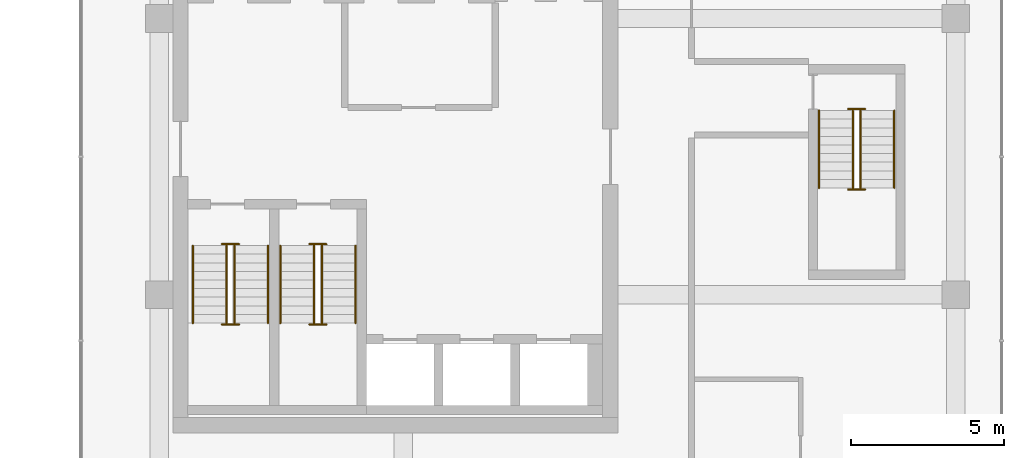
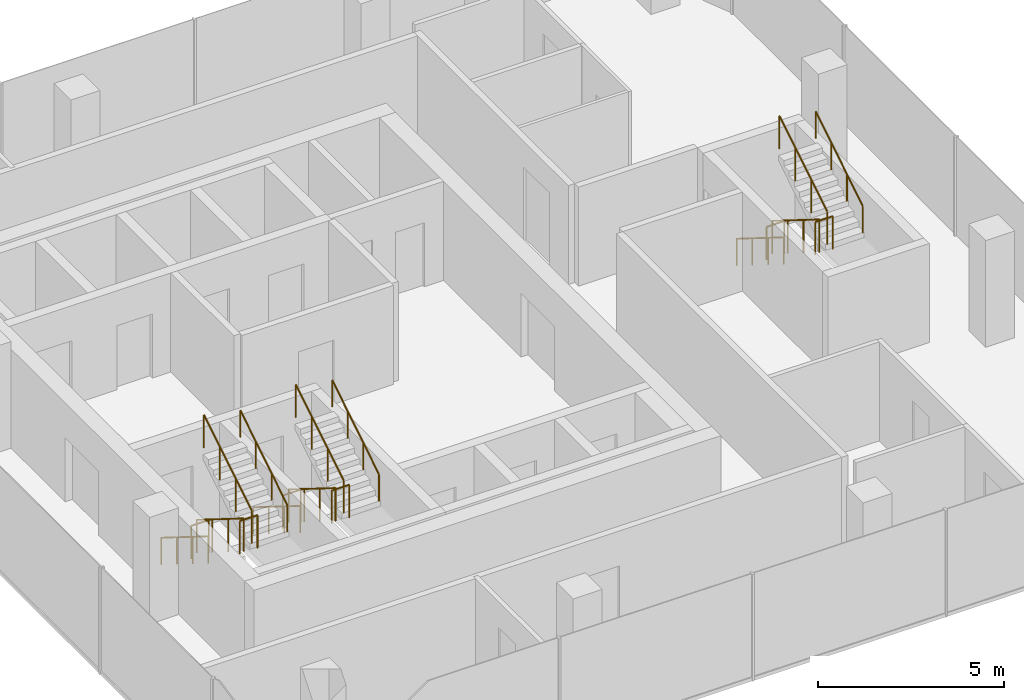
# One storey, part 24 of 24: 18 railings.
"""IFC4 building model written with IfcOpenShell, lengths in metres."""

from ifc_helpers import new_model, si_unit, direction, frame, origin, origin_2d, place, context, subcontext, project, spatial, circle, extrude, material, type_object, element, save


model = new_model("IFC4")

# Units and contexts
model_context = context("Model", 3, precision=1e-05, world=origin(), true_north=direction((0.0, 1.0)))
body_context = subcontext(model_context, "Body", "Model", "MODEL_VIEW")
ifc_project = project(units=[si_unit("LENGTHUNIT", "METRE"), si_unit("AREAUNIT", "SQUARE_METRE"), si_unit("VOLUMEUNIT", "CUBIC_METRE"), si_unit("PLANEANGLEUNIT", "RADIAN"), si_unit("MASSUNIT", "GRAM", prefix="KILO")], contexts=[model_context])

# Site, building, storey
site_placement = place(None, origin())
site = spatial("IfcSite", under=ifc_project, at=site_placement, CompositionType="ELEMENT")
building_placement = place(site_placement, origin())
building = spatial("IfcBuilding", under=site, at=building_placement, Name="Plateau Cross Towers", CompositionType="ELEMENT")
storey_placement = place(building_placement, frame((0.0, 0.0, 44.300048828125)))
storey = spatial("IfcBuildingStorey", under=building, at=storey_placement, Name="L10", CompositionType="ELEMENT", Elevation=44.300048828125)

# Railings
ifc_material_1 = material(Name="Stainless steel and toughened glass", Category="steel")
railing_type_1 = type_object("IfcRailingType", Name="RL-GUARD-1100", PredefinedType="GUARDRAIL", material=ifc_material_1)
railing_1_placement = place(storey_placement, frame((76.75, 6.10009765625, 0.175048828125)))
element("IfcRailing", 1, at=railing_1_placement, inside=storey, type_object=railing_type_1, Name="L10 SB-1 stair guard 1", PredefinedType="GUARDRAIL", context=body_context, shape_type="SweptSolid", body=[
    extrude(circle(Radius=0.02392578125, at=origin_2d()), frame((0.0, 0.0, 1.076171875), z_axis=(0.0, -0.848007534815, 0.529984170421), x_axis=(1.0, 0.0, 0.0)), (0.0, 0.0, 1.0), 2.9716796875),
    extrude(circle(Radius=0.02099609375, at=origin_2d()), origin(), (0.0, 0.0, 1.0), 1.052001953125),
    extrude(circle(Radius=0.02099609375, at=origin_2d()), frame((0.0, -0.840087890625, 0.52490234375)), (0.0, 0.0, 1.0), 1.052001953125),
    extrude(circle(Radius=0.02099609375, at=origin_2d()), frame((0.0, -1.679931640625, 1.050048828125)), (0.0, 0.0, 1.0), 1.052001953125),
    extrude(circle(Radius=0.02099609375, at=origin_2d()), frame((0.0, -2.52001953125, 1.574951171875)), (0.0, 0.0, 1.0), 1.052001953125),
])
railing_2_placement = place(storey_placement, frame((76.60009765625, 3.530029296875, 1.75)))
element("IfcRailing", 2, at=railing_2_placement, inside=storey, type_object=railing_type_1, Name="L10 SB-1 stair guard 2", PredefinedType="GUARDRAIL", context=body_context, shape_type="SweptSolid", body=[
    extrude(circle(Radius=0.02392578125, at=origin_2d()), frame((0.0, 0.0, 1.076171875), z_axis=(1.0, 0.0, 0.0), x_axis=(0.0, 1.0, 0.0)), (0.0, 0.0, 1.0), 0.5498046875),
    extrude(circle(Radius=0.02099609375, at=origin_2d()), origin(), (0.0, 0.0, 1.0), 1.052001953125),
    extrude(circle(Radius=0.02099609375, at=origin_2d()), frame((0.5498046875, 0.0, 0.0)), (0.0, 0.0, 1.0), 1.052001953125),
])
railing_3_placement = place(storey_placement, frame((77.0, 3.580078125, 1.925048828125)))
element("IfcRailing", 3, at=railing_3_placement, inside=storey, type_object=railing_type_1, Name="L10 SB-1 stair guard 3", PredefinedType="GUARDRAIL", context=body_context, shape_type="SweptSolid", body=[
    extrude(circle(Radius=0.02392578125, at=origin_2d()), frame((0.0, 0.0, 1.076171875), z_axis=(0.0, 0.852616386126, 0.522537365276), x_axis=(-1.0, 0.0, 0.0)), (0.0, 0.0, 1.0), 3.01416015625),
    extrude(circle(Radius=0.02099609375, at=origin_2d()), origin(), (0.0, 0.0, 1.0), 1.052001953125),
    extrude(circle(Radius=0.02099609375, at=origin_2d()), frame((0.0, 0.856689453125, 0.52490234375)), (0.0, 0.0, 1.0), 1.052001953125),
    extrude(circle(Radius=0.02099609375, at=origin_2d()), frame((0.0, 1.713134765625, 1.050048828125)), (0.0, 0.0, 1.0), 1.052001953125),
    extrude(circle(Radius=0.02099609375, at=origin_2d()), frame((0.0, 2.56982421875, 1.574951171875)), (0.0, 0.0, 1.0), 1.052001953125),
])
railing_4_placement = place(storey_placement, frame((76.60009765625, 6.14990234375, 0.0)))
element("IfcRailing", 4, at=railing_4_placement, inside=storey, type_object=railing_type_1, Name="L10 SB-1 stair guard 4", PredefinedType="GUARDRAIL", context=body_context, shape_type="SweptSolid", body=[
    extrude(circle(Radius=0.02392578125, at=origin_2d()), frame((0.0, 0.0, 1.076171875), z_axis=(1.0, 0.0, 0.0), x_axis=(0.0, 1.0, 0.0)), (0.0, 0.0, 1.0), 0.5498046875),
    extrude(circle(Radius=0.02099609375, at=origin_2d()), origin(), (0.0, 0.0, 1.0), 1.052001953125),
    extrude(circle(Radius=0.02099609375, at=origin_2d()), frame((0.5498046875, 0.0, 0.0)), (0.0, 0.0, 1.0), 1.052001953125),
])
railing_5_placement = place(storey_placement, frame((79.60009765625, 6.10009765625, 0.175048828125)))
element("IfcRailing", 5, at=railing_5_placement, inside=storey, type_object=railing_type_1, Name="L10 SB-2 stair guard 1", PredefinedType="GUARDRAIL", context=body_context, shape_type="SweptSolid", body=[
    extrude(circle(Radius=0.02392578125, at=origin_2d()), frame((0.0, 0.0, 1.076171875), z_axis=(0.0, -0.848007534815, 0.529984170421), x_axis=(1.0, 0.0, 0.0)), (0.0, 0.0, 1.0), 2.9716796875),
    extrude(circle(Radius=0.02099609375, at=origin_2d()), origin(), (0.0, 0.0, 1.0), 1.052001953125),
    extrude(circle(Radius=0.02099609375, at=origin_2d()), frame((0.0, -0.840087890625, 0.52490234375)), (0.0, 0.0, 1.0), 1.052001953125),
    extrude(circle(Radius=0.02099609375, at=origin_2d()), frame((0.0, -1.679931640625, 1.050048828125)), (0.0, 0.0, 1.0), 1.052001953125),
    extrude(circle(Radius=0.02099609375, at=origin_2d()), frame((0.0, -2.52001953125, 1.574951171875)), (0.0, 0.0, 1.0), 1.052001953125),
])
railing_6_placement = place(storey_placement, frame((79.449951171875, 3.530029296875, 1.75)))
element("IfcRailing", 6, at=railing_6_placement, inside=storey, type_object=railing_type_1, Name="L10 SB-2 stair guard 2", PredefinedType="GUARDRAIL", context=body_context, shape_type="SweptSolid", body=[
    extrude(circle(Radius=0.02392578125, at=origin_2d()), frame((0.0, 0.0, 1.076171875), z_axis=(1.0, 0.0, 0.0), x_axis=(0.0, 1.0, 0.0)), (0.0, 0.0, 1.0), 0.550048828125),
    extrude(circle(Radius=0.02099609375, at=origin_2d()), origin(), (0.0, 0.0, 1.0), 1.052001953125),
    extrude(circle(Radius=0.02099609375, at=origin_2d()), frame((0.550048828125, 0.0, 0.0)), (0.0, 0.0, 1.0), 1.052001953125),
])
railing_7_placement = place(storey_placement, frame((79.85009765625, 3.580078125, 1.925048828125)))
element("IfcRailing", 7, at=railing_7_placement, inside=storey, type_object=railing_type_1, Name="L10 SB-2 stair guard 3", PredefinedType="GUARDRAIL", context=body_context, shape_type="SweptSolid", body=[
    extrude(circle(Radius=0.02392578125, at=origin_2d()), frame((0.0, 0.0, 1.076171875), z_axis=(0.0, 0.852616386126, 0.522537365276), x_axis=(-1.0, 0.0, 0.0)), (0.0, 0.0, 1.0), 3.01416015625),
    extrude(circle(Radius=0.02099609375, at=origin_2d()), origin(), (0.0, 0.0, 1.0), 1.052001953125),
    extrude(circle(Radius=0.02099609375, at=origin_2d()), frame((0.0, 0.856689453125, 0.52490234375)), (0.0, 0.0, 1.0), 1.052001953125),
    extrude(circle(Radius=0.02099609375, at=origin_2d()), frame((0.0, 1.713134765625, 1.050048828125)), (0.0, 0.0, 1.0), 1.052001953125),
    extrude(circle(Radius=0.02099609375, at=origin_2d()), frame((0.0, 2.56982421875, 1.574951171875)), (0.0, 0.0, 1.0), 1.052001953125),
])
railing_8_placement = place(storey_placement, frame((79.449951171875, 6.14990234375, 0.0)))
element("IfcRailing", 8, at=railing_8_placement, inside=storey, type_object=railing_type_1, Name="L10 SB-2 stair guard 4", PredefinedType="GUARDRAIL", context=body_context, shape_type="SweptSolid", body=[
    extrude(circle(Radius=0.02392578125, at=origin_2d()), frame((0.0, 0.0, 1.076171875), z_axis=(1.0, 0.0, 0.0), x_axis=(0.0, 1.0, 0.0)), (0.0, 0.0, 1.0), 0.550048828125),
    extrude(circle(Radius=0.02099609375, at=origin_2d()), origin(), (0.0, 0.0, 1.0), 1.052001953125),
    extrude(circle(Radius=0.02099609375, at=origin_2d()), frame((0.550048828125, 0.0, 0.0)), (0.0, 0.0, 1.0), 1.052001953125),
])
railing_9_placement = place(storey_placement, frame((97.14990234375, 10.5, 0.175048828125)))
element("IfcRailing", 9, at=railing_9_placement, inside=storey, type_object=railing_type_1, Name="L10 SB-3 stair guard 1", PredefinedType="GUARDRAIL", context=body_context, shape_type="SweptSolid", body=[
    extrude(circle(Radius=0.02392578125, at=origin_2d()), frame((0.0, 0.0, 1.076171875), z_axis=(0.0, -0.848007534815, 0.529984170421), x_axis=(1.0, 0.0, 0.0)), (0.0, 0.0, 1.0), 2.9716796875),
    extrude(circle(Radius=0.02099609375, at=origin_2d()), origin(), (0.0, 0.0, 1.0), 1.052001953125),
    extrude(circle(Radius=0.02099609375, at=origin_2d()), frame((0.0, -0.840087890625, 0.52490234375)), (0.0, 0.0, 1.0), 1.052001953125),
    extrude(circle(Radius=0.02099609375, at=origin_2d()), frame((0.0, -1.679931640625, 1.050048828125)), (0.0, 0.0, 1.0), 1.052001953125),
    extrude(circle(Radius=0.02099609375, at=origin_2d()), frame((0.0, -2.52001953125, 1.574951171875)), (0.0, 0.0, 1.0), 1.052001953125),
])
railing_10_placement = place(storey_placement, frame((97.0, 7.929931640625, 1.75)))
element("IfcRailing", 10, at=railing_10_placement, inside=storey, type_object=railing_type_1, Name="L10 SB-3 stair guard 2", PredefinedType="GUARDRAIL", context=body_context, shape_type="SweptSolid", body=[
    extrude(circle(Radius=0.02392578125, at=origin_2d()), frame((0.0, 0.0, 1.076171875), z_axis=(1.0, 0.0, 0.0), x_axis=(0.0, 1.0, 0.0)), (0.0, 0.0, 1.0), 0.550048828125),
    extrude(circle(Radius=0.02099609375, at=origin_2d()), origin(), (0.0, 0.0, 1.0), 1.052001953125),
    extrude(circle(Radius=0.02099609375, at=origin_2d()), frame((0.550048828125, 0.0, 0.0)), (0.0, 0.0, 1.0), 1.052001953125),
])
railing_11_placement = place(storey_placement, frame((97.39990234375, 7.97998046875, 1.925048828125)))
element("IfcRailing", 11, at=railing_11_placement, inside=storey, type_object=railing_type_1, Name="L10 SB-3 stair guard 3", PredefinedType="GUARDRAIL", context=body_context, shape_type="SweptSolid", body=[
    extrude(circle(Radius=0.02392578125, at=origin_2d()), frame((0.0, 0.0, 1.076171875), z_axis=(0.0, 0.852638500773, 0.522501279423), x_axis=(-1.0, 0.0, 0.0)), (0.0, 0.0, 1.0), 3.01416015625),
    extrude(circle(Radius=0.02099609375, at=origin_2d()), origin(), (0.0, 0.0, 1.0), 1.052001953125),
    extrude(circle(Radius=0.02099609375, at=origin_2d()), frame((0.0, 0.856689453125, 0.52490234375)), (0.0, 0.0, 1.0), 1.052001953125),
    extrude(circle(Radius=0.02099609375, at=origin_2d()), frame((0.0, 1.71337890625, 1.050048828125)), (0.0, 0.0, 1.0), 1.052001953125),
    extrude(circle(Radius=0.02099609375, at=origin_2d()), frame((0.0, 2.570068359375, 1.574951171875)), (0.0, 0.0, 1.0), 1.052001953125),
])
railing_12_placement = place(storey_placement, frame((97.0, 10.550048828125, 0.0)))
element("IfcRailing", 12, at=railing_12_placement, inside=storey, type_object=railing_type_1, Name="L10 SB-3 stair guard 4", PredefinedType="GUARDRAIL", context=body_context, shape_type="SweptSolid", body=[
    extrude(circle(Radius=0.02392578125, at=origin_2d()), frame((0.0, 0.0, 1.076171875), z_axis=(1.0, 0.0, 0.0), x_axis=(0.0, 1.0, 0.0)), (0.0, 0.0, 1.0), 0.550048828125),
    extrude(circle(Radius=0.02099609375, at=origin_2d()), origin(), (0.0, 0.0, 1.0), 1.052001953125),
    extrude(circle(Radius=0.02099609375, at=origin_2d()), frame((0.550048828125, 0.0, 0.0)), (0.0, 0.0, 1.0), 1.052001953125),
])
ifc_material_2 = material(Name="Black anodised aluminium", Category="aluminium")
railing_type_2 = type_object("IfcRailingType", Name="RL-HANDRAIL-900", PredefinedType="HANDRAIL", material=ifc_material_2)
railing_13_placement = place(storey_placement, frame((75.64990234375, 6.10009765625, 0.175048828125)))
element("IfcRailing", 13, at=railing_13_placement, inside=storey, type_object=railing_type_2, Name="L10 SB-1 stair handrail 1", PredefinedType="HANDRAIL", context=body_context, shape_type="SweptSolid", body=[
    extrude(circle(Radius=0.02392578125, at=origin_2d()), frame((0.0, 0.0, 0.8759765625), z_axis=(0.0, -0.848007534815, 0.529984170421), x_axis=(1.0, 0.0, 0.0)), (0.0, 0.0, 1.0), 2.9716796875),
    extrude(circle(Radius=0.02099609375, at=origin_2d()), origin(), (0.0, 0.0, 1.0), 0.851806640625),
    extrude(circle(Radius=0.02099609375, at=origin_2d()), frame((0.0, -0.840087890625, 0.52490234375)), (0.0, 0.0, 1.0), 0.851806640625),
    extrude(circle(Radius=0.02099609375, at=origin_2d()), frame((0.0, -1.679931640625, 1.050048828125)), (0.0, 0.0, 1.0), 0.851806640625),
    extrude(circle(Radius=0.02099609375, at=origin_2d()), frame((0.0, -2.52001953125, 1.574951171875)), (0.0, 0.0, 1.0), 0.851806640625),
])
railing_14_placement = place(storey_placement, frame((78.10009765625, 3.580078125, 1.925048828125)))
element("IfcRailing", 14, at=railing_14_placement, inside=storey, type_object=railing_type_2, Name="L10 SB-1 stair handrail 2", PredefinedType="HANDRAIL", context=body_context, shape_type="SweptSolid", body=[
    extrude(circle(Radius=0.02392578125, at=origin_2d()), frame((0.0, 0.0, 0.8759765625), z_axis=(0.0, 0.848007534815, 0.529984170421), x_axis=(-1.0, 0.0, 0.0)), (0.0, 0.0, 1.0), 2.9716796875),
    extrude(circle(Radius=0.02099609375, at=origin_2d()), origin(), (0.0, 0.0, 1.0), 0.851806640625),
    extrude(circle(Radius=0.02099609375, at=origin_2d()), frame((0.0, 0.840087890625, 0.52490234375)), (0.0, 0.0, 1.0), 0.851806640625),
    extrude(circle(Radius=0.02099609375, at=origin_2d()), frame((0.0, 1.679931640625, 1.050048828125)), (0.0, 0.0, 1.0), 0.851806640625),
    extrude(circle(Radius=0.02099609375, at=origin_2d()), frame((0.0, 2.52001953125, 1.574951171875)), (0.0, 0.0, 1.0), 0.851806640625),
])
railing_15_placement = place(storey_placement, frame((78.5, 6.10009765625, 0.175048828125)))
element("IfcRailing", 15, at=railing_15_placement, inside=storey, type_object=railing_type_2, Name="L10 SB-2 stair handrail 1", PredefinedType="HANDRAIL", context=body_context, shape_type="SweptSolid", body=[
    extrude(circle(Radius=0.02392578125, at=origin_2d()), frame((0.0, 0.0, 0.8759765625), z_axis=(0.0, -0.848007534815, 0.529984170421), x_axis=(1.0, 0.0, 0.0)), (0.0, 0.0, 1.0), 2.9716796875),
    extrude(circle(Radius=0.02099609375, at=origin_2d()), origin(), (0.0, 0.0, 1.0), 0.851806640625),
    extrude(circle(Radius=0.02099609375, at=origin_2d()), frame((0.0, -0.840087890625, 0.52490234375)), (0.0, 0.0, 1.0), 0.851806640625),
    extrude(circle(Radius=0.02099609375, at=origin_2d()), frame((0.0, -1.679931640625, 1.050048828125)), (0.0, 0.0, 1.0), 0.851806640625),
    extrude(circle(Radius=0.02099609375, at=origin_2d()), frame((0.0, -2.52001953125, 1.574951171875)), (0.0, 0.0, 1.0), 0.851806640625),
])
railing_16_placement = place(storey_placement, frame((80.949951171875, 3.580078125, 1.925048828125)))
element("IfcRailing", 16, at=railing_16_placement, inside=storey, type_object=railing_type_2, Name="L10 SB-2 stair handrail 2", PredefinedType="HANDRAIL", context=body_context, shape_type="SweptSolid", body=[
    extrude(circle(Radius=0.02392578125, at=origin_2d()), frame((0.0, 0.0, 0.8759765625), z_axis=(0.0, 0.848007534815, 0.529984170421), x_axis=(-1.0, 0.0, 0.0)), (0.0, 0.0, 1.0), 2.9716796875),
    extrude(circle(Radius=0.02099609375, at=origin_2d()), origin(), (0.0, 0.0, 1.0), 0.851806640625),
    extrude(circle(Radius=0.02099609375, at=origin_2d()), frame((0.0, 0.840087890625, 0.52490234375)), (0.0, 0.0, 1.0), 0.851806640625),
    extrude(circle(Radius=0.02099609375, at=origin_2d()), frame((0.0, 1.679931640625, 1.050048828125)), (0.0, 0.0, 1.0), 0.851806640625),
    extrude(circle(Radius=0.02099609375, at=origin_2d()), frame((0.0, 2.52001953125, 1.574951171875)), (0.0, 0.0, 1.0), 0.851806640625),
])
railing_17_placement = place(storey_placement, frame((96.050048828125, 10.5, 0.175048828125)))
element("IfcRailing", 17, at=railing_17_placement, inside=storey, type_object=railing_type_2, Name="L10 SB-3 stair handrail 1", PredefinedType="HANDRAIL", context=body_context, shape_type="SweptSolid", body=[
    extrude(circle(Radius=0.02392578125, at=origin_2d()), frame((0.0, 0.0, 0.8759765625), z_axis=(0.0, -0.848007534815, 0.529984170421), x_axis=(1.0, 0.0, 0.0)), (0.0, 0.0, 1.0), 2.9716796875),
    extrude(circle(Radius=0.02099609375, at=origin_2d()), origin(), (0.0, 0.0, 1.0), 0.851806640625),
    extrude(circle(Radius=0.02099609375, at=origin_2d()), frame((0.0, -0.840087890625, 0.52490234375)), (0.0, 0.0, 1.0), 0.851806640625),
    extrude(circle(Radius=0.02099609375, at=origin_2d()), frame((0.0, -1.679931640625, 1.050048828125)), (0.0, 0.0, 1.0), 0.851806640625),
    extrude(circle(Radius=0.02099609375, at=origin_2d()), frame((0.0, -2.52001953125, 1.574951171875)), (0.0, 0.0, 1.0), 0.851806640625),
])
railing_18_placement = place(storey_placement, frame((98.5, 7.97998046875, 1.925048828125)))
element("IfcRailing", 18, at=railing_18_placement, inside=storey, type_object=railing_type_2, Name="L10 SB-3 stair handrail 2", PredefinedType="HANDRAIL", context=body_context, shape_type="SweptSolid", body=[
    extrude(circle(Radius=0.02392578125, at=origin_2d()), frame((0.0, 0.0, 0.8759765625), z_axis=(0.0, 0.848007534815, 0.529984170421), x_axis=(-1.0, 0.0, 0.0)), (0.0, 0.0, 1.0), 2.9716796875),
    extrude(circle(Radius=0.02099609375, at=origin_2d()), origin(), (0.0, 0.0, 1.0), 0.851806640625),
    extrude(circle(Radius=0.02099609375, at=origin_2d()), frame((0.0, 0.840087890625, 0.52490234375)), (0.0, 0.0, 1.0), 0.851806640625),
    extrude(circle(Radius=0.02099609375, at=origin_2d()), frame((0.0, 1.679931640625, 1.050048828125)), (0.0, 0.0, 1.0), 0.851806640625),
    extrude(circle(Radius=0.02099609375, at=origin_2d()), frame((0.0, 2.52001953125, 1.574951171875)), (0.0, 0.0, 1.0), 0.851806640625),
])

save(model, "model.ifc")
